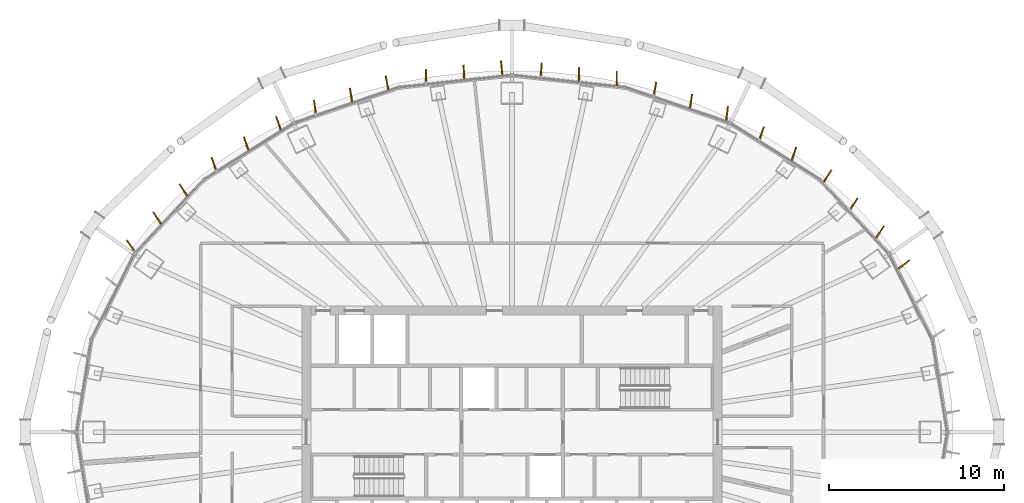
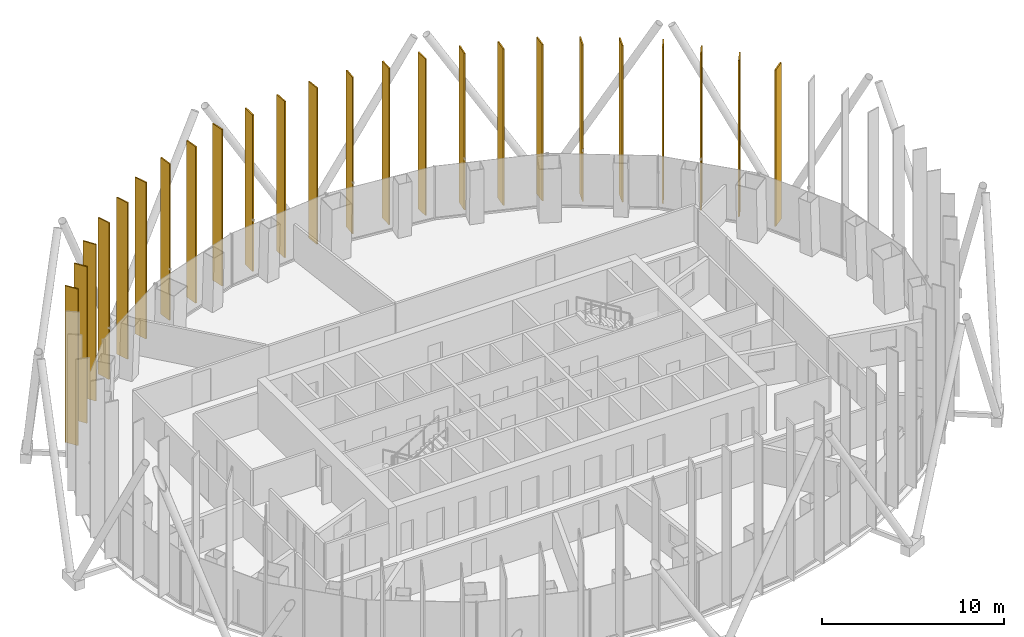
# One storey, part 19 of 19: 24 shading devices.
"""IFC4 building model written with IfcOpenShell, lengths in metres."""

from ifc_helpers import new_model, si_unit, direction, frame, origin, origin_2d, place, context, subcontext, project, spatial, rectangle, extrude, material, layer, layer_set, type_object, element, save


model = new_model("IFC4")

# Units and contexts
model_context = context("Model", 3, precision=1e-05, world=origin(), true_north=direction((0.0, 1.0)))
body_context = subcontext(model_context, "Body", "Model", "MODEL_VIEW")
ifc_project = project(units=[si_unit("LENGTHUNIT", "METRE"), si_unit("AREAUNIT", "SQUARE_METRE"), si_unit("VOLUMEUNIT", "CUBIC_METRE"), si_unit("PLANEANGLEUNIT", "RADIAN"), si_unit("MASSUNIT", "GRAM", prefix="KILO")], contexts=[model_context])

# Site, building, storey
site_placement = place(None, origin())
site = spatial("IfcSite", under=ifc_project, at=site_placement, CompositionType="ELEMENT")
building_placement = place(site_placement, origin())
building = spatial("IfcBuilding", under=site, at=building_placement, Name="Siaravel Broadcast Tower", CompositionType="ELEMENT")
storey_placement = place(building_placement, frame((0.0, 0.0, 130.39990234375)))
storey = spatial("IfcBuildingStorey", under=building, at=storey_placement, Name="L31", CompositionType="ELEMENT", Elevation=130.39990234375)

# Shading devices
ifc_material = material(Name="Bronze anodised aluminium", Category="aluminium")
ifc_layer = layer(ifc_material, 0.080078125)
ifc_layer_set = layer_set([ifc_layer], Name="Bronze anodised aluminium")
shading_device_type = type_object("IfcShadingDeviceType", Name="Bronze fin zone 2", PredefinedType="USERDEFINED", material=ifc_layer_set)
for number, where, z_axis, x_axis, name in (
    (1, (22.402099609375, 9.580078125, 0.300048828125), (0.0, 0.0, 1.0), (0.785557828, 0.61878825, 0.0), "Bronze fin L31-05"),
    (2, (21.03857421875, 11.446533203125, 0.300048828125), (0.0, 0.0, 1.0), (0.56024149, 0.828329327, 0.0), "Bronze fin L31-06"),
    (3, (19.537841796875, 13.04638671875, 0.300048828125), (0.0, 0.0, 1.0), (0.547615798, 0.836729907, 0.0), "Bronze fin L31-07"),
    (4, (18.040283203125, 14.644287109375, 0.300048828125), (0.0, 0.0, 1.0), (0.54278166, 0.839873842, 0.0), "Bronze fin L31-08"),
    (5, (16.118896484375, 15.914306640625, 0.300048828125), (0.0, 0.0, 1.0), (0.314779452, 0.949164842, 0.0), "Bronze fin L31-09"),
    (6, (14.271240234375, 17.076904296875, 0.300048828125), (0.0, 0.0, 1.0), (0.32610938, 0.945332043, 0.0), "Bronze fin L31-10"),
    (7, (12.293701171875, 18.219482421875, 0.300048828125), (0.0, 0.0, 1.0), (0.117688187, 0.993050598, 0.0), "Bronze fin L31-11"),
    (8, (10.232177734375, 18.921142578125, 0.300048828125), (0.0, 0.0, 1.0), (0.143547894, 0.989643371, 0.0), "Bronze fin L31-12"),
    (9, (8.17333984375, 19.6220703125, 0.300048828125), (0.0, 0.0, 1.0), (0.175359853, 0.984504404, 0.0), "Bronze fin L31-13"),
    (10, (5.98828125, 20.23681640625, 0.300048828125), (0.0, 0.0, 1.0), (-0.006784043, 0.999976988, 0.0), "Bronze fin L31-14"),
    (11, (3.8291015625, 20.47119140625, 0.300048828125), (0.0, 0.0, 1.0), (0.03298423, 0.999455872, 0.0), "Bronze fin L31-15"),
    (12, (1.6708984375, 20.70458984375, 0.300048828125), (0.0, 0.0, 1.0), (0.075196277, 0.997168752, 0.0), "Bronze fin L31-16"),
    (13, (-0.591796875, 20.8212890625, 0.300048828125), (0.0, 0.0, 1.0), (-0.09657539, 0.995325672, 0.0), "Bronze fin L31-17"),
    (14, (-2.749755859375, 20.587890625, 0.300048828125), (0.0, 0.0, 1.0), (-0.053911506, 0.998545717, 0.0), "Bronze fin L31-18"),
    (15, (-4.908447265625, 20.35400390625, 0.300048828125), (0.0, 0.0, 1.0), (-0.012674242, 0.999919679, 0.0), "Bronze fin L31-19"),
    (16, (-7.14453125, 19.97216796875, 0.300048828125), (0.0, 0.0, 1.0), (-0.192984368, 0.981201831, 0.0), "Bronze fin L31-20"),
    (17, (-9.202392578125, 19.271728515625, 0.300048828125), (0.0, 0.0, 1.0), (-0.158804294, 0.987310081, 0.0), "Bronze fin L31-21"),
    (18, (-11.2626953125, 18.570556640625, 0.300048828125), (0.0, 0.0, 1.0), (-0.129790737, 0.991541408, 0.0), "Bronze fin L31-22"),
    (19, (-13.348388671875, 17.65771484375, 0.300048828125), (0.0, 0.0, 1.0), (-0.334634276, 0.942348079, 0.0), "Bronze fin L31-23"),
    (20, (-15.194580078125, 16.49560546875, 0.300048828125), (0.0, 0.0, 1.0), (-0.319452208, 0.947602389, 0.0), "Bronze fin L31-24"),
    (21, (-17.0439453125, 15.33251953125, 0.300048828125), (0.0, 0.0, 1.0), (-0.312150873, 0.950032543, 0.0), "Bronze fin L31-25"),
    (22, (-18.788818359375, 13.845703125, 0.300048828125), (0.0, 0.0, 1.0), (-0.544196905, 0.838957525, 0.0), "Bronze fin L31-26"),
    (23, (-20.287841796875, 12.24658203125, 0.300048828125), (0.0, 0.0, 1.0), (-0.552998983, 0.833181928, 0.0), "Bronze fin L31-27"),
    (24, (-21.789794921875, 10.645751953125, 0.300048828125), (0.0, 0.0, 1.0), (-0.56917477, 0.822216566, 0.0), "Bronze fin L31-28"),
):
    element("IfcShadingDevice", number, at=place(storey_placement, frame(where, z_axis=z_axis, x_axis=x_axis)), inside=storey, type_object=shading_device_type, Name=name, ObjectType="FIN", PredefinedType="USERDEFINED", context=body_context, shape_type="SweptSolid", body=[
        extrude(rectangle(XDim=0.800048828125, YDim=0.080078125, at=origin_2d()), origin(), (0.0, 0.0, 1.0), 10.5),
    ])

save(model, "model.ifc")
